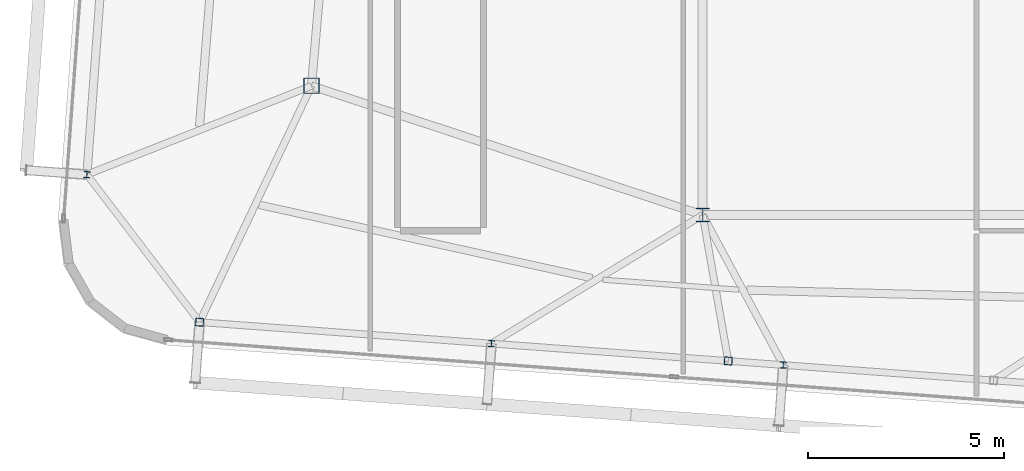
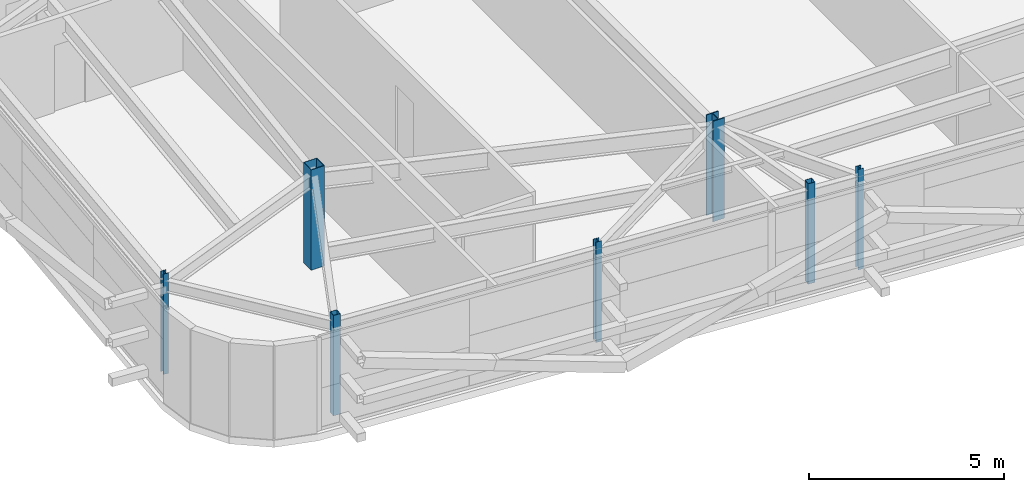
# One storey, part 1 of 34: 7 columns.
"""IFC4 building model written with IfcOpenShell, lengths in metres."""

from ifc_helpers import new_model, si_unit, direction, frame, origin, origin_2d, place, context, subcontext, project, spatial, hollow_rectangle, i_section, extrude, source, transform, mapped, material, material_profile, profile_set, type_object, element, save


model = new_model("IFC4")

# Units and contexts
model_context = context("Model", 3, precision=1e-05, world=origin(), true_north=direction((0.0, 1.0)))
body_context = subcontext(model_context, "Body", "Model", "MODEL_VIEW")
ifc_project = project(units=[si_unit("LENGTHUNIT", "METRE"), si_unit("AREAUNIT", "SQUARE_METRE"), si_unit("VOLUMEUNIT", "CUBIC_METRE"), si_unit("PLANEANGLEUNIT", "RADIAN"), si_unit("MASSUNIT", "GRAM", prefix="KILO")], contexts=[model_context])

# Site, building, storey
site_placement = place(None, origin())
site = spatial("IfcSite", under=ifc_project, at=site_placement, CompositionType="ELEMENT")
building_placement = place(site_placement, origin())
building = spatial("IfcBuilding", under=site, at=building_placement, Name="Taldren Reach Tower", CompositionType="ELEMENT")
storey_placement = place(building_placement, frame((0.0, 0.0, 246.050048828125)))
storey = spatial("IfcBuildingStorey", under=building, at=storey_placement, Name="L75", CompositionType="ELEMENT", Elevation=246.050048828125)

# Columns
ifc_material_1 = material(Name="Steel Gr 350 (350PLUS)", Category="steel")
ifc_material_profile_1 = material_profile(ifc_material_1, i_section(OverallWidth=0.35009765625, OverallDepth=0.35595703125, WebThickness=0.01806640625, FlangeThickness=0.028076171875, at=origin_2d()), Name="350WC197")
ifc_profile_set_1 = profile_set([ifc_material_profile_1], Name="Steel Gr 350 (350PLUS)")
column_type_1 = type_object("IfcColumnType", Name="COL-WC350", PredefinedType="COLUMN", material=ifc_profile_set_1)
shared_shape_1 = source(origin(), body_context, "Body", "SweptSolid", [
    extrude(i_section(OverallWidth=0.35009765625, OverallDepth=0.35595703125, WebThickness=0.01806640625, FlangeThickness=0.028076171875, at=origin_2d()), origin(), (0.0, 0.0, 1.0), 3.14990234375),
])
column_1_placement = place(storey_placement, frame((28.0, 9.199951171875, 0.0), z_axis=(0.0, 0.0, 1.0), x_axis=(1.0, 0.0, 0.0)))
element("IfcColumn", 1, at=column_1_placement, inside=storey, type_object=column_type_1, Name="Mega column MC-PJW L75", PredefinedType="COLUMN", context=body_context, shape_type="MappedRepresentation", body=[
    mapped(shared_shape_1, transform((0.0, 0.0, 0.0), scale=1.0)),
])
ifc_material_2 = material(Name="Steel Gr 450 (C450L0)", Category="steel")
ifc_material_profile_2 = material_profile(ifc_material_2, hollow_rectangle(XDim=0.39990234375, YDim=0.39990234375, WallThickness=0.01611328125, at=origin_2d()), Name="400x400x16.0SHS")
ifc_profile_set_2 = profile_set([ifc_material_profile_2], Name="Steel Gr 450 (C450L0)")
column_type_2 = type_object("IfcColumnType", Name="COL-SHS400", PredefinedType="COLUMN", material=ifc_profile_set_2)
shared_shape_2 = source(origin(), body_context, "Body", "SweptSolid", [
    extrude(hollow_rectangle(XDim=0.39990234375, YDim=0.39990234375, WallThickness=0.01611328125, at=origin_2d()), origin(), (0.0, 0.0, 1.0), 3.14990234375),
])
column_2_placement = place(storey_placement, frame((18.0, 12.5, 0.0), z_axis=(0.0, 0.0, 1.0), x_axis=(1.0, 0.0, 0.0)))
element("IfcColumn", 2, at=column_2_placement, inside=storey, type_object=column_type_2, Name="Mega column MC-SW L75", PredefinedType="COLUMN", context=body_context, shape_type="MappedRepresentation", body=[
    mapped(shared_shape_2, transform((0.0, 0.0, 0.0), scale=1.0)),
])
ifc_material_3 = material(Name="Steel Gr 350 (C350L0)", Category="steel")
ifc_material_profile_3 = material_profile(ifc_material_3, hollow_rectangle(XDim=0.199951171875, YDim=0.199951171875, WallThickness=0.009033203125, at=origin_2d()), Name="200x200x9.0SHS")
ifc_profile_set_3 = profile_set([ifc_material_profile_3], Name="Steel Gr 350 (C350L0)")
column_type_3 = type_object("IfcColumnType", Name="COL-SHS200", PredefinedType="COLUMN", material=ifc_profile_set_3)
shared_shape_3 = source(origin(), body_context, "Body", "SweptSolid", [
    extrude(hollow_rectangle(XDim=0.199951171875, YDim=0.199951171875, WallThickness=0.009033203125, at=origin_2d()), origin(), (0.0, 0.0, 1.0), 3.14990234375),
])
for number, where, z_axis, x_axis, name in (
    (3, (15.140625, 6.460205078125, 0.0), (0.0, 0.0, 1.0), (0.997314477224, -0.073238197128, 0.0), "Block B5 perimeter column S1 L75"),
    (4, (28.654296875, 5.4677734375, 0.0), (0.0, 0.0, 1.0), (0.997314477224, -0.073238197128, 0.0), "Block B5 perimeter column PJ1 L75"),
):
    element("IfcColumn", number, at=place(storey_placement, frame(where, z_axis=z_axis, x_axis=x_axis)), inside=storey, type_object=column_type_3, Name=name, PredefinedType="COLUMN", context=body_context, shape_type="MappedRepresentation", body=[
        mapped(shared_shape_3, transform((0.0, 0.0, 0.0), scale=1.0)),
    ])
ifc_material_profile_4 = material_profile(ifc_material_1, i_section(OverallWidth=0.154052734375, OverallDepth=0.162109375, WebThickness=0.008056640625, FlangeThickness=0.011474609375, at=origin_2d()), Name="150UC37.2")
ifc_profile_set_4 = profile_set([ifc_material_profile_4], Name="Steel Gr 350 (350PLUS)")
column_type_4 = type_object("IfcColumnType", Name="COL-UC150", PredefinedType="COLUMN", material=ifc_profile_set_4)
shared_shape_4 = source(origin(), body_context, "Body", "SweptSolid", [
    extrude(i_section(OverallWidth=0.154052734375, OverallDepth=0.162109375, WebThickness=0.008056640625, FlangeThickness=0.011474609375, at=origin_2d()), origin(), (0.0, 0.0, 1.0), 3.14990234375),
])
for number, where, z_axis, x_axis, name in (
    (5, (22.6005859375, 5.912353515625, 0.0), (0.0, 0.0, 1.0), (0.997314477224, -0.073238197128, 0.0), "Block B5 perimeter column S2 L75"),
    (6, (30.060546875, 5.364501953125, 0.0), (0.0, 0.0, 1.0), (0.997314477224, -0.073238197128, 0.0), "Block B5 perimeter column S3 L75"),
    (7, (12.259033203125, 10.2314453125, 0.0), (0.0, 0.0, 1.0), (0.997314477224, -0.073238197128, 0.0), "Block B5 perimeter column W1 L75"),
):
    element("IfcColumn", number, at=place(storey_placement, frame(where, z_axis=z_axis, x_axis=x_axis)), inside=storey, type_object=column_type_4, Name=name, PredefinedType="COLUMN", context=body_context, shape_type="MappedRepresentation", body=[
        mapped(shared_shape_4, transform((0.0, 0.0, 0.0), scale=1.0)),
    ])

save(model, "model.ifc")
